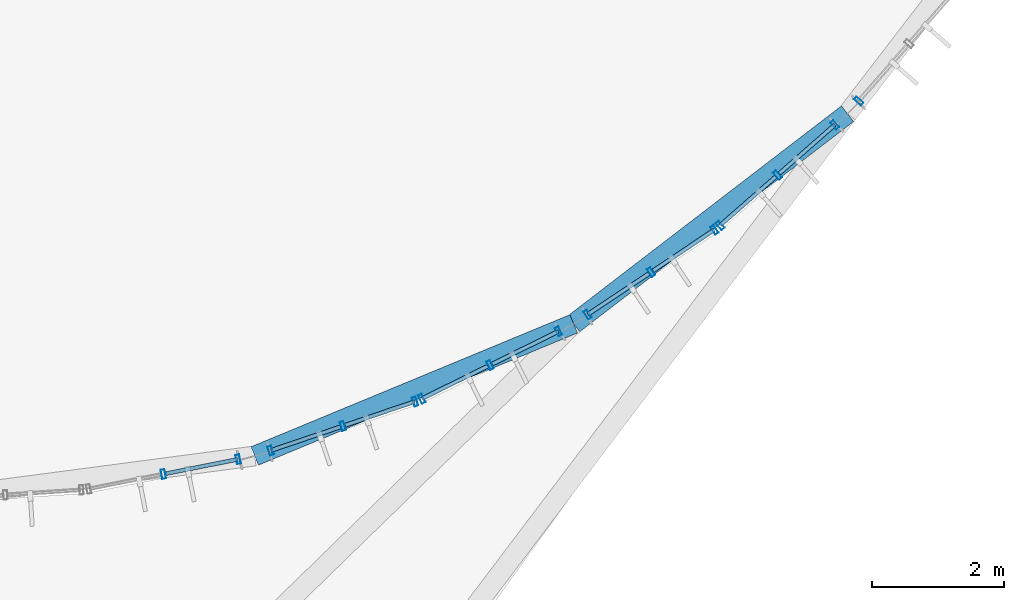
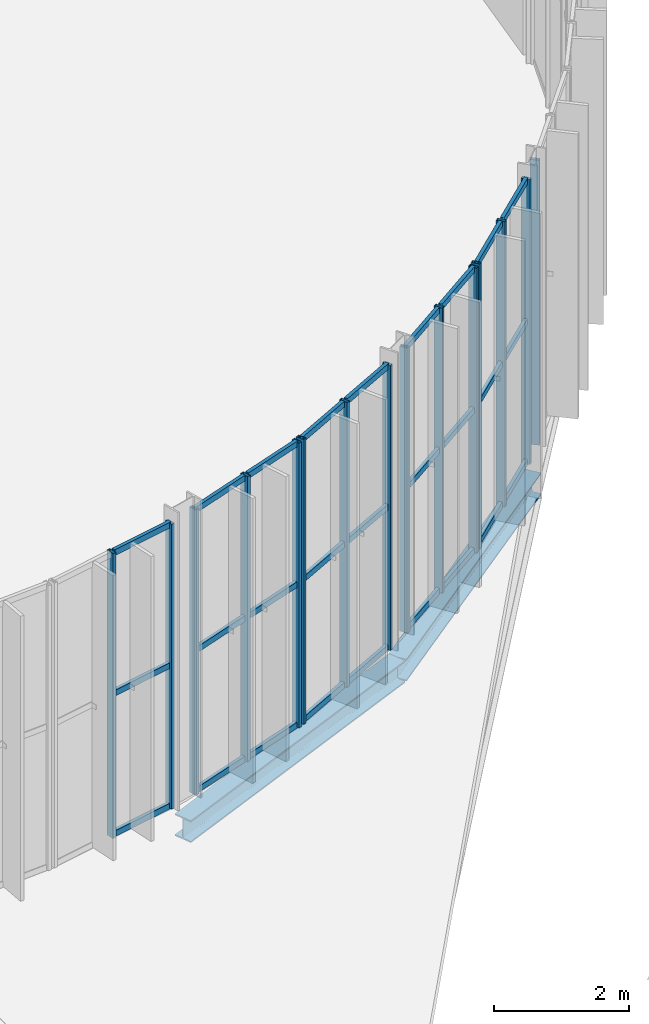
# One storey, part 50 of 158: 42 members, 2 beams, 6 elements without a shape of their own.
"""IFC4 building model written with IfcOpenShell, lengths in metres."""

from ifc_helpers import new_model, si_unit, derived_unit, direction, frame, origin, origin_2d, place, context, subcontext, project, spatial, hollow_rectangle, i_section, extrude, material, material_profile, profile_set, type_object, element, aggregate, save


model = new_model("IFC4")

# Units and contexts
model_context = context("Model", 3, precision=1e-05, world=origin(), true_north=direction((0.0, 1.0)))
body_context = subcontext(model_context, "Body", "Model", "MODEL_VIEW")
ifc_project = project(units=[si_unit("LENGTHUNIT", "METRE"), si_unit("AREAUNIT", "SQUARE_METRE"), si_unit("VOLUMEUNIT", "CUBIC_METRE"), si_unit("PLANEANGLEUNIT", "RADIAN"), si_unit("MASSUNIT", "GRAM", prefix="KILO"), si_unit("THERMODYNAMICTEMPERATUREUNIT", "KELVIN"), si_unit("TIMEUNIT", "SECOND"), derived_unit("THERMALTRANSMITTANCEUNIT", [(si_unit("MASSUNIT", "GRAM", prefix="KILO"), 1), (si_unit("THERMODYNAMICTEMPERATUREUNIT", "KELVIN"), -1), (si_unit("TIMEUNIT", "SECOND"), -3)])], contexts=[model_context])

# Site, building, storey
site_placement = place(None, origin())
site = spatial("IfcSite", under=ifc_project, at=site_placement, CompositionType="ELEMENT")
building_placement = place(site_placement, origin())
building = spatial("IfcBuilding", under=site, at=building_placement, Name="Cambertide Market Hall", CompositionType="ELEMENT")
storey_placement = place(building_placement, origin())
storey = spatial("IfcBuildingStorey", under=building, at=storey_placement, Name="L01", CompositionType="ELEMENT", Elevation=0.0)

# Curtain wall, members
ifc_material_1 = material(Name="Marine Anodized Aluminium 6063-T6 AA25", Category="aluminium")
curtain_wall_type = type_object("IfcCurtainWallType", Name="Lantern Apse Chord Lower Curtain Wall", PredefinedType="USERDEFINED", material=ifc_material_1)
curtain_wall_1_placement = place(storey_placement, origin())
curtain_wall_1 = element("IfcCurtainWall", 1, at=curtain_wall_1_placement, inside=storey, type_object=curtain_wall_type, Name="Level 1 Curtain Wall CW-V1AE-L01-02", ObjectType="UNITIZED CURTAIN WALL", PredefinedType="USERDEFINED")
ifc_material_2 = material(Name="Champagne Marine Anodized Aluminium 6063-T6 AA25", Category="aluminium")
ifc_material_profile_1 = material_profile(ifc_material_2, hollow_rectangle(XDim=0.06005859375, YDim=0.139892578125, WallThickness=0.00341796875, at=origin_2d()), Name="ALU MULLION 60x140")
ifc_profile_set_1 = profile_set([ifc_material_profile_1], Name="Champagne Marine Anodized Aluminium 6063-T6 AA25")
member_type_1 = type_object("IfcMemberType", Name="Curtain Wall Mullion ALU MULLION 60x140", PredefinedType="MULLION", material=ifc_profile_set_1)
member_1_placement = place(storey_placement, frame((109.92626953125, 52.6318359375, 0.0), z_axis=(0.0, 0.0, 1.0), x_axis=(-0.980785330885, -0.195090068226, 0.0)))
member_1 = element("IfcMember", 2, at=member_1_placement, type_object=member_type_1, Name="CW-V1AE-L01-02 Mullion 1", PredefinedType="MULLION", context=body_context, shape_type="SweptSolid", body=[
    extrude(hollow_rectangle(XDim=0.06005859375, YDim=0.139892578125, WallThickness=0.00341796875, at=origin_2d()), origin(), (0.0, 0.0, 1.0), 5.159912109375),
])
member_2_placement = place(storey_placement, frame((108.79541015625, 52.40673828125, 0.0), z_axis=(0.0, 0.0, 1.0), x_axis=(-0.980785330885, -0.195090068226, 0.0)))
member_2 = element("IfcMember", 3, at=member_2_placement, type_object=member_type_1, Name="CW-V1AE-L01-02 Mullion 2", PredefinedType="MULLION", context=body_context, shape_type="SweptSolid", body=[
    extrude(hollow_rectangle(XDim=0.06005859375, YDim=0.139892578125, WallThickness=0.00341796875, at=origin_2d()), origin(), (0.0, 0.0, 1.0), 5.159912109375),
])

curtain_wall_2_placement = place(storey_placement, origin())
curtain_wall_2 = element("IfcCurtainWall", 4, at=curtain_wall_2_placement, inside=storey, type_object=curtain_wall_type, Name="Level 1 Curtain Wall CW-V1AE-L01-03", ObjectType="UNITIZED CURTAIN WALL", PredefinedType="USERDEFINED")
member_3_placement = place(storey_placement, frame((112.6015625, 53.504638671875, 0.0), z_axis=(0.0, 0.0, 1.0), x_axis=(-0.94693012508, -0.32143947831, 0.0)))
member_3 = element("IfcMember", 5, at=member_3_placement, type_object=member_type_1, Name="CW-V1AE-L01-03 Mullion 1", PredefinedType="MULLION", context=body_context, shape_type="SweptSolid", body=[
    extrude(hollow_rectangle(XDim=0.06005859375, YDim=0.139892578125, WallThickness=0.00341796875, at=origin_2d()), origin(), (0.0, 0.0, 1.0), 5.159912109375),
])
member_4_placement = place(storey_placement, frame((111.509765625, 53.134033203125, 0.0), z_axis=(0.0, 0.0, 1.0), x_axis=(-0.94693012508, -0.32143947831, 0.0)))
member_4 = element("IfcMember", 6, at=member_4_placement, type_object=member_type_1, Name="CW-V1AE-L01-03 Mullion 2", PredefinedType="MULLION", context=body_context, shape_type="SweptSolid", body=[
    extrude(hollow_rectangle(XDim=0.06005859375, YDim=0.139892578125, WallThickness=0.00341796875, at=origin_2d()), origin(), (0.0, 0.0, 1.0), 5.159912109375),
])
member_5_placement = place(storey_placement, frame((110.41796875, 52.763427734375, 0.0), z_axis=(0.0, 0.0, 1.0), x_axis=(-0.94693012508, -0.32143947831, 0.0)))
member_5 = element("IfcMember", 7, at=member_5_placement, type_object=member_type_1, Name="CW-V1AE-L01-03 Mullion 3", PredefinedType="MULLION", context=body_context, shape_type="SweptSolid", body=[
    extrude(hollow_rectangle(XDim=0.06005859375, YDim=0.139892578125, WallThickness=0.00341796875, at=origin_2d()), origin(), (0.0, 0.0, 1.0), 5.159912109375),
])

curtain_wall_3_placement = place(storey_placement, origin())
curtain_wall_3 = element("IfcCurtainWall", 8, at=curtain_wall_3_placement, inside=storey, type_object=curtain_wall_type, Name="Level 1 Curtain Wall CW-V1AE-L01-04", ObjectType="UNITIZED CURTAIN WALL", PredefinedType="USERDEFINED")
member_6_placement = place(storey_placement, frame((114.771240234375, 54.566650390625, 0.0), z_axis=(0.0, 0.0, 1.0), x_axis=(-0.896872650645, -0.442288874522, 0.0)))
member_6 = element("IfcMember", 9, at=member_6_placement, type_object=member_type_1, Name="CW-V1AE-L01-04 Mullion 1", PredefinedType="MULLION", context=body_context, shape_type="SweptSolid", body=[
    extrude(hollow_rectangle(XDim=0.06005859375, YDim=0.139892578125, WallThickness=0.00341796875, at=origin_2d()), origin(), (0.0, 0.0, 1.0), 5.159912109375),
])
member_7_placement = place(storey_placement, frame((113.737060546875, 54.056640625, 0.0), z_axis=(0.0, 0.0, 1.0), x_axis=(-0.896872650645, -0.442288874522, 0.0)))
member_7 = element("IfcMember", 10, at=member_7_placement, type_object=member_type_1, Name="CW-V1AE-L01-04 Mullion 2", PredefinedType="MULLION", context=body_context, shape_type="SweptSolid", body=[
    extrude(hollow_rectangle(XDim=0.06005859375, YDim=0.139892578125, WallThickness=0.00341796875, at=origin_2d()), origin(), (0.0, 0.0, 1.0), 5.159912109375),
])
member_8_placement = place(storey_placement, frame((112.702880859375, 53.546630859375, 0.0), z_axis=(0.0, 0.0, 1.0), x_axis=(-0.896872650645, -0.442288874522, 0.0)))
member_8 = element("IfcMember", 11, at=member_8_placement, type_object=member_type_1, Name="CW-V1AE-L01-04 Mullion 3", PredefinedType="MULLION", context=body_context, shape_type="SweptSolid", body=[
    extrude(hollow_rectangle(XDim=0.06005859375, YDim=0.139892578125, WallThickness=0.00341796875, at=origin_2d()), origin(), (0.0, 0.0, 1.0), 5.159912109375),
])

curtain_wall_4_placement = place(storey_placement, origin())
curtain_wall_4 = element("IfcCurtainWall", 12, at=curtain_wall_4_placement, inside=storey, type_object=curtain_wall_type, Name="Level 1 Curtain Wall CW-V1AE-L01-05", ObjectType="UNITIZED CURTAIN WALL", PredefinedType="USERDEFINED")
member_9_placement = place(storey_placement, frame((117.12939453125, 56.102294921875, 0.0), z_axis=(0.0, 0.0, 1.0), x_axis=(-0.831469709481, -0.555570087582, 0.0)))
member_9 = element("IfcMember", 13, at=member_9_placement, type_object=member_type_1, Name="CW-V1AE-L01-05 Mullion 1", PredefinedType="MULLION", context=body_context, shape_type="SweptSolid", body=[
    extrude(hollow_rectangle(XDim=0.06005859375, YDim=0.139892578125, WallThickness=0.00341796875, at=origin_2d()), origin(), (0.0, 0.0, 1.0), 5.159912109375),
])
member_10_placement = place(storey_placement, frame((116.170654296875, 55.461669921875, 0.0), z_axis=(0.0, 0.0, 1.0), x_axis=(-0.831469709481, -0.555570087582, 0.0)))
member_10 = element("IfcMember", 14, at=member_10_placement, type_object=member_type_1, Name="CW-V1AE-L01-05 Mullion 2", PredefinedType="MULLION", context=body_context, shape_type="SweptSolid", body=[
    extrude(hollow_rectangle(XDim=0.06005859375, YDim=0.139892578125, WallThickness=0.00341796875, at=origin_2d()), origin(), (0.0, 0.0, 1.0), 5.159912109375),
])
member_11_placement = place(storey_placement, frame((115.2119140625, 54.821044921875, 0.0), z_axis=(0.0, 0.0, 1.0), x_axis=(-0.831469709481, -0.555570087582, 0.0)))
member_11 = element("IfcMember", 15, at=member_11_placement, type_object=member_type_1, Name="CW-V1AE-L01-05 Mullion 3", PredefinedType="MULLION", context=body_context, shape_type="SweptSolid", body=[
    extrude(hollow_rectangle(XDim=0.06005859375, YDim=0.139892578125, WallThickness=0.00341796875, at=origin_2d()), origin(), (0.0, 0.0, 1.0), 5.159912109375),
])

curtain_wall_5_placement = place(storey_placement, origin())
curtain_wall_5 = element("IfcCurtainWall", 16, at=curtain_wall_5_placement, inside=storey, type_object=curtain_wall_type, Name="Level 1 Curtain Wall CW-V1AE-L01-06", ObjectType="UNITIZED CURTAIN WALL", PredefinedType="USERDEFINED")
member_12_placement = place(storey_placement, frame((118.950439453125, 57.689697265625, 0.0), z_axis=(0.0, 0.0, 1.0), x_axis=(-0.751839834741, -0.659345784014, 0.0)))
member_12 = element("IfcMember", 17, at=member_12_placement, type_object=member_type_1, Name="CW-V1AE-L01-06 Mullion 1", PredefinedType="MULLION", context=body_context, shape_type="SweptSolid", body=[
    extrude(hollow_rectangle(XDim=0.06005859375, YDim=0.139892578125, WallThickness=0.00341796875, at=origin_2d()), origin(), (0.0, 0.0, 1.0), 5.159912109375),
])
member_13_placement = place(storey_placement, frame((118.08349609375, 56.929443359375, 0.0), z_axis=(0.0, 0.0, 1.0), x_axis=(-0.751839834741, -0.659345784014, 0.0)))
member_13 = element("IfcMember", 18, at=member_13_placement, type_object=member_type_1, Name="CW-V1AE-L01-06 Mullion 2", PredefinedType="MULLION", context=body_context, shape_type="SweptSolid", body=[
    extrude(hollow_rectangle(XDim=0.06005859375, YDim=0.139892578125, WallThickness=0.00341796875, at=origin_2d()), origin(), (0.0, 0.0, 1.0), 5.159912109375),
])
member_14_placement = place(storey_placement, frame((117.216552734375, 56.169189453125, 0.0), z_axis=(0.0, 0.0, 1.0), x_axis=(-0.751839834741, -0.659345784014, 0.0)))
member_14 = element("IfcMember", 19, at=member_14_placement, type_object=member_type_1, Name="CW-V1AE-L01-06 Mullion 3", PredefinedType="MULLION", context=body_context, shape_type="SweptSolid", body=[
    extrude(hollow_rectangle(XDim=0.06005859375, YDim=0.139892578125, WallThickness=0.00341796875, at=origin_2d()), origin(), (0.0, 0.0, 1.0), 5.159912109375),
])

# Curtain wall, member
curtain_wall_6_placement = place(storey_placement, origin())
curtain_wall_6 = element("IfcCurtainWall", 20, at=curtain_wall_6_placement, inside=storey, type_object=curtain_wall_type, Name="Level 1 Curtain Wall CW-V1AE-L01-07", ObjectType="UNITIZED CURTAIN WALL", PredefinedType="USERDEFINED")
member_15_placement = place(storey_placement, frame((119.310302734375, 58.049560546875, 0.0), z_axis=(0.0, 0.0, 1.0), x_axis=(-0.659345784014, -0.751839834741, 0.0)))
member_15 = element("IfcMember", 21, at=member_15_placement, type_object=member_type_1, Name="CW-V1AE-L01-07 Mullion 3", PredefinedType="MULLION", context=body_context, shape_type="SweptSolid", body=[
    extrude(hollow_rectangle(XDim=0.06005859375, YDim=0.139892578125, WallThickness=0.00341796875, at=origin_2d()), origin(), (0.0, 0.0, 1.0), 5.159912109375),
])
aggregate(curtain_wall_6, [member_15])

# Member
ifc_material_3 = material(Name="Champagne Marine Anodized Aluminium 6063-T6 AA25", Category="aluminium")
ifc_material_profile_2 = material_profile(ifc_material_3, hollow_rectangle(XDim=0.06005859375, YDim=0.10498046875, WallThickness=0.0029296875, at=origin_2d()), Name="ALU TRANSOM 60x105")
ifc_profile_set_2 = profile_set([ifc_material_profile_2], Name="Champagne Marine Anodized Aluminium 6063-T6 AA25")
member_type_2 = type_object("IfcMemberType", Name="Curtain Wall Transom ALU TRANSOM 60x105", PredefinedType="USERDEFINED", material=ifc_profile_set_2)
member_16_placement = place(storey_placement, frame((109.92138671875, 52.630859375, 0.034912109375), z_axis=(-0.980758243369, -0.195226197175, 0.0), x_axis=(0.195226197175, -0.980758243369, 0.0)))
member_16 = element("IfcMember", 22, at=member_16_placement, type_object=member_type_2, Name="CW-V1AE-L01-02 Transom 1-1", ObjectType="TRANSOM", PredefinedType="USERDEFINED", context=body_context, shape_type="SweptSolid", body=[
    extrude(hollow_rectangle(XDim=0.06005859375, YDim=0.10498046875, WallThickness=0.0029296875, at=origin_2d()), origin(), (0.0, 0.0, 1.0), 1.10791015625),
])

member_17_placement = place(storey_placement, frame((109.92138671875, 52.630859375, 2.580078125), z_axis=(-0.980758243369, -0.195226197175, 0.0), x_axis=(0.195226197175, -0.980758243369, 0.0)))
member_17 = element("IfcMember", 23, at=member_17_placement, type_object=member_type_2, Name="CW-V1AE-L01-02 Transom 2-1", ObjectType="TRANSOM", PredefinedType="USERDEFINED", context=body_context, shape_type="SweptSolid", body=[
    extrude(hollow_rectangle(XDim=0.06005859375, YDim=0.10498046875, WallThickness=0.0029296875, at=origin_2d()), origin(), (0.0, 0.0, 1.0), 1.10791015625),
])

member_18_placement = place(storey_placement, frame((109.92138671875, 52.630859375, 5.125), z_axis=(-0.980758243369, -0.195226197175, 0.0), x_axis=(0.195226197175, -0.980758243369, 0.0)))
member_18 = element("IfcMember", 24, at=member_18_placement, type_object=member_type_2, Name="CW-V1AE-L01-02 Transom 3-1", ObjectType="TRANSOM", PredefinedType="USERDEFINED", context=body_context, shape_type="SweptSolid", body=[
    extrude(hollow_rectangle(XDim=0.06005859375, YDim=0.10498046875, WallThickness=0.0029296875, at=origin_2d()), origin(), (0.0, 0.0, 1.0), 1.10791015625),
])

aggregate(curtain_wall_1, [member_1, member_2, member_16, member_17, member_18])

member_19_placement = place(storey_placement, frame((112.596923828125, 53.503173828125, 0.034912109375), z_axis=(-0.946928413037, -0.321444521782, 0.0), x_axis=(0.321444521782, -0.946928413037, 0.0)))
member_19 = element("IfcMember", 25, at=member_19_placement, type_object=member_type_2, Name="CW-V1AE-L01-03 Transom 1-1", ObjectType="TRANSOM", PredefinedType="USERDEFINED", context=body_context, shape_type="SweptSolid", body=[
    extrude(hollow_rectangle(XDim=0.06005859375, YDim=0.10498046875, WallThickness=0.0029296875, at=origin_2d()), origin(), (0.0, 0.0, 1.0), 1.108154296875),
])

member_20_placement = place(storey_placement, frame((111.471923828125, 53.121337890625, 0.034912109375), z_axis=(-0.946928413037, -0.321444521782, 0.0), x_axis=(0.321444521782, -0.946928413037, 0.0)))
member_20 = element("IfcMember", 26, at=member_20_placement, type_object=member_type_2, Name="CW-V1AE-L01-03 Transom 1-2", ObjectType="TRANSOM", PredefinedType="USERDEFINED", context=body_context, shape_type="SweptSolid", body=[
    extrude(hollow_rectangle(XDim=0.06005859375, YDim=0.10498046875, WallThickness=0.0029296875, at=origin_2d()), origin(), (0.0, 0.0, 1.0), 1.108154296875),
])

member_21_placement = place(storey_placement, frame((112.596923828125, 53.503173828125, 2.580078125), z_axis=(-0.946928413037, -0.321444521782, 0.0), x_axis=(0.321444521782, -0.946928413037, 0.0)))
member_21 = element("IfcMember", 27, at=member_21_placement, type_object=member_type_2, Name="CW-V1AE-L01-03 Transom 2-1", ObjectType="TRANSOM", PredefinedType="USERDEFINED", context=body_context, shape_type="SweptSolid", body=[
    extrude(hollow_rectangle(XDim=0.06005859375, YDim=0.10498046875, WallThickness=0.0029296875, at=origin_2d()), origin(), (0.0, 0.0, 1.0), 1.108154296875),
])

member_22_placement = place(storey_placement, frame((111.471923828125, 53.121337890625, 2.580078125), z_axis=(-0.946928413037, -0.321444521782, 0.0), x_axis=(0.321444521782, -0.946928413037, 0.0)))
member_22 = element("IfcMember", 28, at=member_22_placement, type_object=member_type_2, Name="CW-V1AE-L01-03 Transom 2-2", ObjectType="TRANSOM", PredefinedType="USERDEFINED", context=body_context, shape_type="SweptSolid", body=[
    extrude(hollow_rectangle(XDim=0.06005859375, YDim=0.10498046875, WallThickness=0.0029296875, at=origin_2d()), origin(), (0.0, 0.0, 1.0), 1.108154296875),
])

member_23_placement = place(storey_placement, frame((112.596923828125, 53.503173828125, 5.125), z_axis=(-0.946928413037, -0.321444521782, 0.0), x_axis=(0.321444521782, -0.946928413037, 0.0)))
member_23 = element("IfcMember", 29, at=member_23_placement, type_object=member_type_2, Name="CW-V1AE-L01-03 Transom 3-1", ObjectType="TRANSOM", PredefinedType="USERDEFINED", context=body_context, shape_type="SweptSolid", body=[
    extrude(hollow_rectangle(XDim=0.06005859375, YDim=0.10498046875, WallThickness=0.0029296875, at=origin_2d()), origin(), (0.0, 0.0, 1.0), 1.108154296875),
])

member_24_placement = place(storey_placement, frame((111.471923828125, 53.121337890625, 5.125), z_axis=(-0.946928413037, -0.321444521782, 0.0), x_axis=(0.321444521782, -0.946928413037, 0.0)))
member_24 = element("IfcMember", 30, at=member_24_placement, type_object=member_type_2, Name="CW-V1AE-L01-03 Transom 3-2", ObjectType="TRANSOM", PredefinedType="USERDEFINED", context=body_context, shape_type="SweptSolid", body=[
    extrude(hollow_rectangle(XDim=0.06005859375, YDim=0.10498046875, WallThickness=0.0029296875, at=origin_2d()), origin(), (0.0, 0.0, 1.0), 1.108154296875),
])

aggregate(curtain_wall_2, [member_3, member_4, member_5, member_19, member_20, member_21, member_22, member_23, member_24])

member_25_placement = place(storey_placement, frame((114.766845703125, 54.564453125, 0.034912109375), z_axis=(-0.896924738521, -0.442183235129, 0.0), x_axis=(0.442183235129, -0.896924738521, 0.0)))
member_25 = element("IfcMember", 31, at=member_25_placement, type_object=member_type_2, Name="CW-V1AE-L01-04 Transom 1-1", ObjectType="TRANSOM", PredefinedType="USERDEFINED", context=body_context, shape_type="SweptSolid", body=[
    extrude(hollow_rectangle(XDim=0.06005859375, YDim=0.10498046875, WallThickness=0.0029296875, at=origin_2d()), origin(), (0.0, 0.0, 1.0), 1.108154296875),
])

member_26_placement = place(storey_placement, frame((113.701171875, 54.0390625, 0.034912109375), z_axis=(-0.896794227794, -0.44244786472, 0.0), x_axis=(0.44244786472, -0.896794227794, 0.0)))
member_26 = element("IfcMember", 32, at=member_26_placement, type_object=member_type_2, Name="CW-V1AE-L01-04 Transom 1-2", ObjectType="TRANSOM", PredefinedType="USERDEFINED", context=body_context, shape_type="SweptSolid", body=[
    extrude(hollow_rectangle(XDim=0.06005859375, YDim=0.10498046875, WallThickness=0.0029296875, at=origin_2d()), origin(), (0.0, 0.0, 1.0), 1.10791015625),
])

member_27_placement = place(storey_placement, frame((114.766845703125, 54.564453125, 2.580078125), z_axis=(-0.896924738521, -0.442183235129, 0.0), x_axis=(0.442183235129, -0.896924738521, 0.0)))
member_27 = element("IfcMember", 33, at=member_27_placement, type_object=member_type_2, Name="CW-V1AE-L01-04 Transom 2-1", ObjectType="TRANSOM", PredefinedType="USERDEFINED", context=body_context, shape_type="SweptSolid", body=[
    extrude(hollow_rectangle(XDim=0.06005859375, YDim=0.10498046875, WallThickness=0.0029296875, at=origin_2d()), origin(), (0.0, 0.0, 1.0), 1.108154296875),
])

member_28_placement = place(storey_placement, frame((113.701171875, 54.0390625, 2.580078125), z_axis=(-0.896794227794, -0.44244786472, 0.0), x_axis=(0.44244786472, -0.896794227794, 0.0)))
member_28 = element("IfcMember", 34, at=member_28_placement, type_object=member_type_2, Name="CW-V1AE-L01-04 Transom 2-2", ObjectType="TRANSOM", PredefinedType="USERDEFINED", context=body_context, shape_type="SweptSolid", body=[
    extrude(hollow_rectangle(XDim=0.06005859375, YDim=0.10498046875, WallThickness=0.0029296875, at=origin_2d()), origin(), (0.0, 0.0, 1.0), 1.10791015625),
])

member_29_placement = place(storey_placement, frame((114.766845703125, 54.564453125, 5.125), z_axis=(-0.896924738521, -0.442183235129, 0.0), x_axis=(0.442183235129, -0.896924738521, 0.0)))
member_29 = element("IfcMember", 35, at=member_29_placement, type_object=member_type_2, Name="CW-V1AE-L01-04 Transom 3-1", ObjectType="TRANSOM", PredefinedType="USERDEFINED", context=body_context, shape_type="SweptSolid", body=[
    extrude(hollow_rectangle(XDim=0.06005859375, YDim=0.10498046875, WallThickness=0.0029296875, at=origin_2d()), origin(), (0.0, 0.0, 1.0), 1.108154296875),
])

member_30_placement = place(storey_placement, frame((113.701171875, 54.0390625, 5.125), z_axis=(-0.896794227794, -0.44244786472, 0.0), x_axis=(0.44244786472, -0.896794227794, 0.0)))
member_30 = element("IfcMember", 36, at=member_30_placement, type_object=member_type_2, Name="CW-V1AE-L01-04 Transom 3-2", ObjectType="TRANSOM", PredefinedType="USERDEFINED", context=body_context, shape_type="SweptSolid", body=[
    extrude(hollow_rectangle(XDim=0.06005859375, YDim=0.10498046875, WallThickness=0.0029296875, at=origin_2d()), origin(), (0.0, 0.0, 1.0), 1.10791015625),
])

aggregate(curtain_wall_3, [member_6, member_7, member_8, member_25, member_26, member_27, member_28, member_29, member_30])

member_31_placement = place(storey_placement, frame((117.125244140625, 56.099609375, 0.034912109375), z_axis=(-0.831371680054, -0.55571677103, 0.0), x_axis=(0.55571677103, -0.831371680054, 0.0)))
member_31 = element("IfcMember", 37, at=member_31_placement, type_object=member_type_2, Name="CW-V1AE-L01-05 Transom 1-1", ObjectType="TRANSOM", PredefinedType="USERDEFINED", context=body_context, shape_type="SweptSolid", body=[
    extrude(hollow_rectangle(XDim=0.06005859375, YDim=0.10498046875, WallThickness=0.0029296875, at=origin_2d()), origin(), (0.0, 0.0, 1.0), 1.10791015625),
])

member_32_placement = place(storey_placement, frame((116.137451171875, 55.439453125, 0.034912109375), z_axis=(-0.83154148111, -0.555462658685, 0.0), x_axis=(0.555462658685, -0.83154148111, 0.0)))
member_32 = element("IfcMember", 38, at=member_32_placement, type_object=member_type_2, Name="CW-V1AE-L01-05 Transom 1-2", ObjectType="TRANSOM", PredefinedType="USERDEFINED", context=body_context, shape_type="SweptSolid", body=[
    extrude(hollow_rectangle(XDim=0.06005859375, YDim=0.10498046875, WallThickness=0.0029296875, at=origin_2d()), origin(), (0.0, 0.0, 1.0), 1.108154296875),
])

member_33_placement = place(storey_placement, frame((117.125244140625, 56.099609375, 2.580078125), z_axis=(-0.831371680054, -0.55571677103, 0.0), x_axis=(0.55571677103, -0.831371680054, 0.0)))
member_33 = element("IfcMember", 39, at=member_33_placement, type_object=member_type_2, Name="CW-V1AE-L01-05 Transom 2-1", ObjectType="TRANSOM", PredefinedType="USERDEFINED", context=body_context, shape_type="SweptSolid", body=[
    extrude(hollow_rectangle(XDim=0.06005859375, YDim=0.10498046875, WallThickness=0.0029296875, at=origin_2d()), origin(), (0.0, 0.0, 1.0), 1.10791015625),
])

member_34_placement = place(storey_placement, frame((116.137451171875, 55.439453125, 2.580078125), z_axis=(-0.83154148111, -0.555462658685, 0.0), x_axis=(0.555462658685, -0.83154148111, 0.0)))
member_34 = element("IfcMember", 40, at=member_34_placement, type_object=member_type_2, Name="CW-V1AE-L01-05 Transom 2-2", ObjectType="TRANSOM", PredefinedType="USERDEFINED", context=body_context, shape_type="SweptSolid", body=[
    extrude(hollow_rectangle(XDim=0.06005859375, YDim=0.10498046875, WallThickness=0.0029296875, at=origin_2d()), origin(), (0.0, 0.0, 1.0), 1.108154296875),
])

member_35_placement = place(storey_placement, frame((117.125244140625, 56.099609375, 5.125), z_axis=(-0.831371680054, -0.55571677103, 0.0), x_axis=(0.55571677103, -0.831371680054, 0.0)))
member_35 = element("IfcMember", 41, at=member_35_placement, type_object=member_type_2, Name="CW-V1AE-L01-05 Transom 3-1", ObjectType="TRANSOM", PredefinedType="USERDEFINED", context=body_context, shape_type="SweptSolid", body=[
    extrude(hollow_rectangle(XDim=0.06005859375, YDim=0.10498046875, WallThickness=0.0029296875, at=origin_2d()), origin(), (0.0, 0.0, 1.0), 1.10791015625),
])

member_36_placement = place(storey_placement, frame((116.137451171875, 55.439453125, 5.125), z_axis=(-0.83154148111, -0.555462658685, 0.0), x_axis=(0.555462658685, -0.83154148111, 0.0)))
member_36 = element("IfcMember", 42, at=member_36_placement, type_object=member_type_2, Name="CW-V1AE-L01-05 Transom 3-2", ObjectType="TRANSOM", PredefinedType="USERDEFINED", context=body_context, shape_type="SweptSolid", body=[
    extrude(hollow_rectangle(XDim=0.06005859375, YDim=0.10498046875, WallThickness=0.0029296875, at=origin_2d()), origin(), (0.0, 0.0, 1.0), 1.108154296875),
])

aggregate(curtain_wall_4, [member_9, member_10, member_11, member_31, member_32, member_33, member_34, member_35, member_36])

member_37_placement = place(storey_placement, frame((118.94677734375, 57.6865234375, 0.034912109375), z_axis=(-0.751852984677, -0.659330789082, 0.0), x_axis=(0.659330789082, -0.751852984677, 0.0)))
member_37 = element("IfcMember", 43, at=member_37_placement, type_object=member_type_2, Name="CW-V1AE-L01-06 Transom 1-1", ObjectType="TRANSOM", PredefinedType="USERDEFINED", context=body_context, shape_type="SweptSolid", body=[
    extrude(hollow_rectangle(XDim=0.06005859375, YDim=0.10498046875, WallThickness=0.0029296875, at=origin_2d()), origin(), (0.0, 0.0, 1.0), 1.108154296875),
])

member_38_placement = place(storey_placement, frame((118.053466796875, 56.903076171875, 0.034912109375), z_axis=(-0.751866427049, -0.659315460062, 0.0), x_axis=(0.659315460062, -0.751866427049, 0.0)))
member_38 = element("IfcMember", 44, at=member_38_placement, type_object=member_type_2, Name="CW-V1AE-L01-06 Transom 1-2", ObjectType="TRANSOM", PredefinedType="USERDEFINED", context=body_context, shape_type="SweptSolid", body=[
    extrude(hollow_rectangle(XDim=0.06005859375, YDim=0.10498046875, WallThickness=0.0029296875, at=origin_2d()), origin(), (0.0, 0.0, 1.0), 1.10791015625),
])

member_39_placement = place(storey_placement, frame((118.94677734375, 57.6865234375, 2.580078125), z_axis=(-0.751852984677, -0.659330789082, 0.0), x_axis=(0.659330789082, -0.751852984677, 0.0)))
member_39 = element("IfcMember", 45, at=member_39_placement, type_object=member_type_2, Name="CW-V1AE-L01-06 Transom 2-1", ObjectType="TRANSOM", PredefinedType="USERDEFINED", context=body_context, shape_type="SweptSolid", body=[
    extrude(hollow_rectangle(XDim=0.06005859375, YDim=0.10498046875, WallThickness=0.0029296875, at=origin_2d()), origin(), (0.0, 0.0, 1.0), 1.108154296875),
])

member_40_placement = place(storey_placement, frame((118.053466796875, 56.903076171875, 2.580078125), z_axis=(-0.751866427049, -0.659315460062, 0.0), x_axis=(0.659315460062, -0.751866427049, 0.0)))
member_40 = element("IfcMember", 46, at=member_40_placement, type_object=member_type_2, Name="CW-V1AE-L01-06 Transom 2-2", ObjectType="TRANSOM", PredefinedType="USERDEFINED", context=body_context, shape_type="SweptSolid", body=[
    extrude(hollow_rectangle(XDim=0.06005859375, YDim=0.10498046875, WallThickness=0.0029296875, at=origin_2d()), origin(), (0.0, 0.0, 1.0), 1.10791015625),
])

member_41_placement = place(storey_placement, frame((118.94677734375, 57.6865234375, 5.125), z_axis=(-0.751852984677, -0.659330789082, 0.0), x_axis=(0.659330789082, -0.751852984677, 0.0)))
member_41 = element("IfcMember", 47, at=member_41_placement, type_object=member_type_2, Name="CW-V1AE-L01-06 Transom 3-1", ObjectType="TRANSOM", PredefinedType="USERDEFINED", context=body_context, shape_type="SweptSolid", body=[
    extrude(hollow_rectangle(XDim=0.06005859375, YDim=0.10498046875, WallThickness=0.0029296875, at=origin_2d()), origin(), (0.0, 0.0, 1.0), 1.108154296875),
])

member_42_placement = place(storey_placement, frame((118.053466796875, 56.903076171875, 5.125), z_axis=(-0.751866427049, -0.659315460062, 0.0), x_axis=(0.659315460062, -0.751866427049, 0.0)))
member_42 = element("IfcMember", 48, at=member_42_placement, type_object=member_type_2, Name="CW-V1AE-L01-06 Transom 3-2", ObjectType="TRANSOM", PredefinedType="USERDEFINED", context=body_context, shape_type="SweptSolid", body=[
    extrude(hollow_rectangle(XDim=0.06005859375, YDim=0.10498046875, WallThickness=0.0029296875, at=origin_2d()), origin(), (0.0, 0.0, 1.0), 1.10791015625),
])

aggregate(curtain_wall_5, [member_12, member_13, member_14, member_37, member_38, member_39, member_40, member_41, member_42])

# Beams
ifc_material_4 = material(Name="Steel S355", Category="steel")
ifc_material_profile_3 = material_profile(ifc_material_4, i_section(OverallWidth=0.300048828125, OverallDepth=0.39990234375, WebThickness=0.013427734375, FlangeThickness=0.02392578125, FilletRadius=0.027099609375, at=origin_2d()), Name="HEB 400")
ifc_profile_set_3 = profile_set([ifc_material_profile_3], Name="Steel S355")
beam_type = type_object("IfcBeamType", Name="Steel Girder HEB 400", PredefinedType="BEAM", material=ifc_profile_set_3)
beam_1_placement = place(storey_placement, frame((110.17626953125, 52.681396484375, -0.510009765625), z_axis=(0.923880054352, 0.382682172528, 0.0), x_axis=(-0.382682172528, 0.923880054352, 0.0)))
element("IfcBeam", 49, at=beam_1_placement, inside=storey, type_object=beam_type, Name="Level 1 Beam BM-V1AE-L01-2", PredefinedType="BEAM", context=body_context, shape_type="SweptSolid", body=[
    extrude(i_section(OverallWidth=0.300048828125, OverallDepth=0.39990234375, WebThickness=0.013427734375, FlangeThickness=0.02392578125, FilletRadius=0.027099609375, at=origin_2d()), origin(), (0.0, 0.0, 1.0), 5.22119140625),
])
beam_2_placement = place(storey_placement, frame((115.0, 54.679443359375, -0.510009765625), z_axis=(0.793341363525, 0.608777037117, 0.0), x_axis=(-0.608777037117, 0.793341363525, 0.0)))
element("IfcBeam", 50, at=beam_2_placement, inside=storey, type_object=beam_type, Name="Level 1 Beam BM-V1AE-L01-3", PredefinedType="BEAM", context=body_context, shape_type="SweptSolid", body=[
    extrude(i_section(OverallWidth=0.300048828125, OverallDepth=0.39990234375, WebThickness=0.013427734375, FlangeThickness=0.02392578125, FilletRadius=0.027099609375, at=origin_2d()), origin(), (0.0, 0.0, 1.0), 5.220947265625),
])

save(model, "model.ifc")
